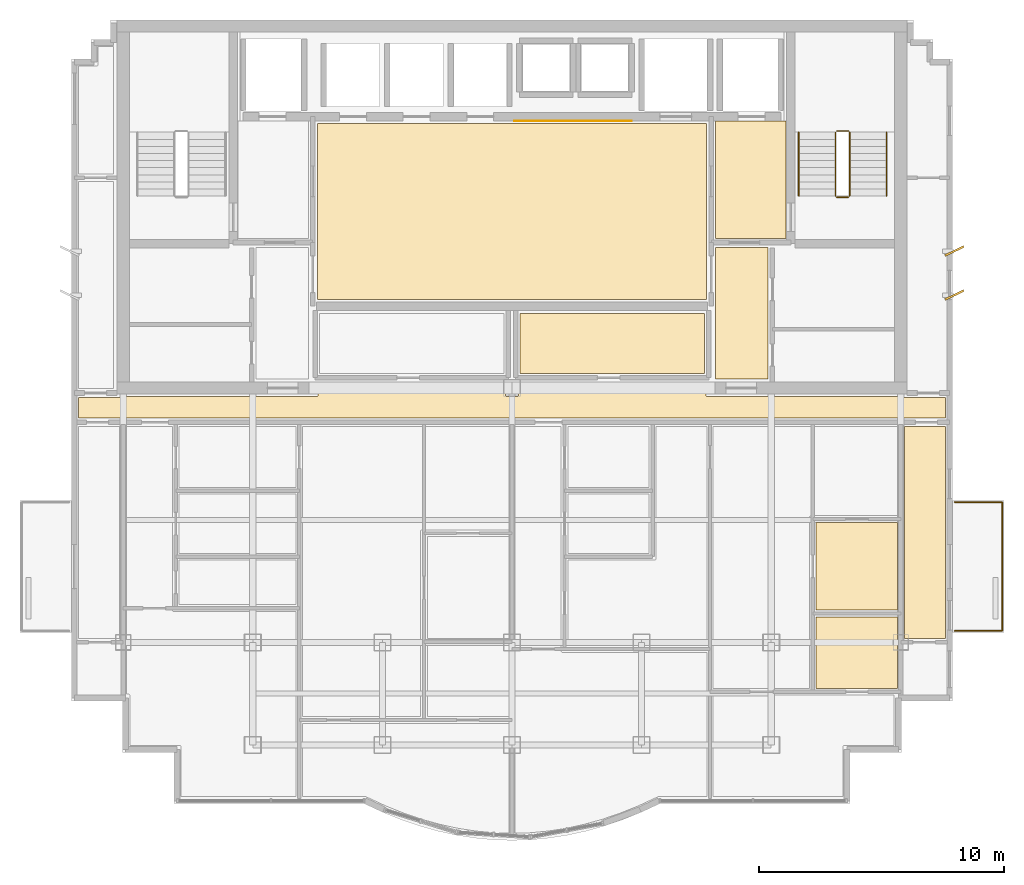
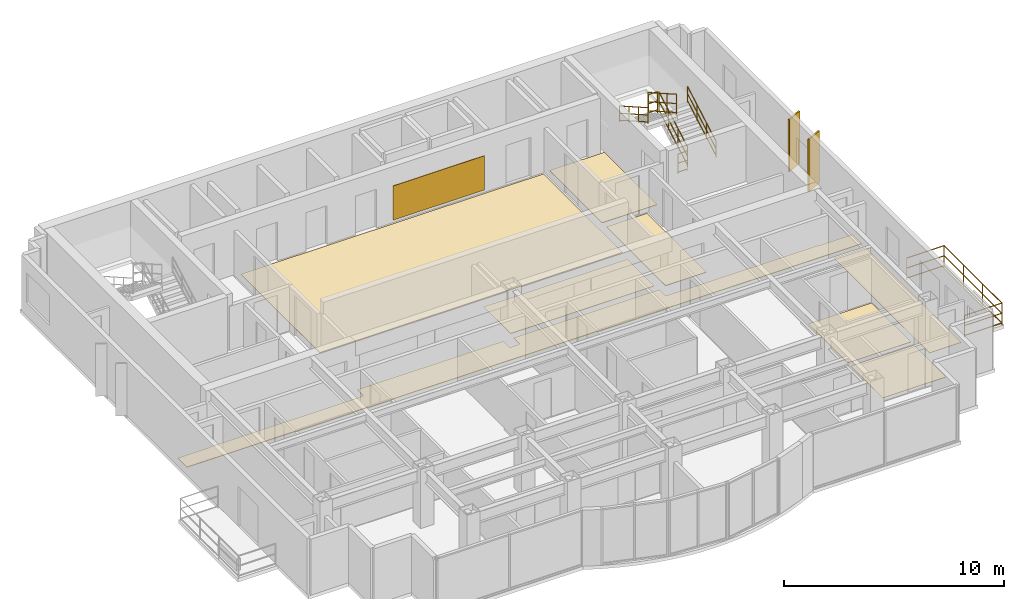
# One storey, part 9 of 9: 9 coverings, 7 railings, 2 shading devices.
"""IFC4 building model written with IfcOpenShell, lengths in metres."""

from ifc_helpers import new_model, si_unit, direction, frame, origin, origin_2d, place, context, subcontext, project, spatial, polyline, rectangle, circle, outline, extrude, source, transform, mapped, material, layer, layer_set, type_object, element, save


model = new_model("IFC4")

# Units and contexts
model_context = context("Model", 3, precision=1e-05, world=origin(), true_north=direction((0.0, 1.0)))
body_context = subcontext(model_context, "Body", "Model", "MODEL_VIEW")
ifc_project = project(units=[si_unit("LENGTHUNIT", "METRE"), si_unit("AREAUNIT", "SQUARE_METRE"), si_unit("VOLUMEUNIT", "CUBIC_METRE"), si_unit("PLANEANGLEUNIT", "RADIAN"), si_unit("MASSUNIT", "GRAM", prefix="KILO")], contexts=[model_context])

# Site, building, storey
site_placement = place(None, origin())
site = spatial("IfcSite", under=ifc_project, at=site_placement, CompositionType="ELEMENT")
building_placement = place(site_placement, origin())
building = spatial("IfcBuilding", under=site, at=building_placement, Name="Qianlan Lanfeng Residences", CompositionType="ELEMENT")
storey_placement = place(building_placement, frame((0.0, 0.0, 252.800048828125)))
storey = spatial("IfcBuildingStorey", under=building, at=storey_placement, Name="L70", CompositionType="ELEMENT", Elevation=252.800048828125)

# Coverings
ifc_material_1 = material(Name="Anodised Bronze Feature Wall Cladding")
ifc_layer_1 = layer(ifc_material_1, 0.02490234375)
ifc_layer_set_1 = layer_set([ifc_layer_1], Name="Anodised Bronze Feature Wall Cladding")
covering_type_1 = type_object("IfcCoveringType", Name="CLD-BRZ-25", PredefinedType="CLADDING", material=ifc_layer_set_1)
covering_1_placement = place(storey_placement, frame((0.0, 0.0, 0.14990234375)))
element("IfcCovering", 1, at=covering_1_placement, inside=storey, type_object=covering_type_1, Name="L70 Lift Lobby Bronze Feature Cladding", PredefinedType="CLADDING", context=body_context, shape_type="SweptSolid", body=[
    extrude(outline(polyline([(26.60009765625, 36.10009765625), (31.39990234375, 36.10009765625), (31.39990234375, 36.125), (26.60009765625, 36.125), (26.60009765625, 36.10009765625)])), origin(), (0.0, 0.0, 1.0), 1.900146484375),
])
ifc_material_2 = material(Name="Honed Taitung Granite Stone Flooring", Category="masonry")
ifc_layer_2 = layer(ifc_material_2, 0.030029296875)
ifc_layer_set_2 = layer_set([ifc_layer_2], Name="Honed Taitung Granite Stone Flooring")
covering_type_2 = type_object("IfcCoveringType", Name="FLR-STN-30", PredefinedType="FLOORING", material=ifc_layer_set_2)
covering_2_placement = place(storey_placement, origin())
element("IfcCovering", 2, at=covering_2_placement, inside=storey, type_object=covering_type_2, Name="L70 Firefighting Lift Lobby Floor Finish", PredefinedType="FLOORING", context=body_context, shape_type="SweptSolid", body=[
    extrude(outline(polyline([(34.820068359375, 31.320068359375), (37.7099609375, 31.320068359375), (37.7099609375, 36.110107421875), (34.820068359375, 36.110107421875), (34.820068359375, 31.320068359375)])), origin(), (0.0, 0.0, 1.0), 0.030029296875),
])
covering_3_placement = place(storey_placement, origin())
element("IfcCovering", 3, at=covering_3_placement, inside=storey, type_object=covering_type_2, Name="L70 Lift Lobby Floor Finish", PredefinedType="FLOORING", context=body_context, shape_type="SweptSolid", body=[
    extrude(outline(polyline([(18.550048828125, 28.820068359375), (34.449951171875, 28.820068359375), (34.449951171875, 36.010009765625), (18.550048828125, 36.010009765625), (18.550048828125, 28.820068359375)])), origin(), (0.0, 0.0, 1.0), 0.030029296875),
])
covering_4_placement = place(storey_placement, origin())
element("IfcCovering", 4, at=covering_4_placement, inside=storey, type_object=covering_type_2, Name="L70 Residential Corridor Floor Finish", PredefinedType="FLOORING", context=body_context, shape_type="SweptSolid", body=[
    extrude(outline(polyline([(8.77001953125, 23.97998046875), (44.22998046875, 23.97998046875), (44.22998046875, 24.820068359375), (42.5400390625, 24.820068359375), (42.532958984375, 24.820068359375), (42.52587890625, 24.821044921875), (42.52001953125, 24.822998046875), (42.512939453125, 24.824951171875), (42.507080078125, 24.827880859375), (42.5009765625, 24.83203125), (42.49609375, 24.8359375), (42.490966796875, 24.841064453125), (42.486083984375, 24.845947265625), (42.48291015625, 24.85009765625), (34.5, 24.85009765625), (34.492919921875, 24.85009765625), (34.486083984375, 24.85107421875), (34.47998046875, 24.85302734375), (34.472900390625, 24.85498046875), (34.467041015625, 24.85791015625), (34.4609375, 24.862060546875), (34.4560546875, 24.865966796875), (34.450927734375, 24.87109375), (34.446044921875, 24.8759765625), (34.44189453125, 24.881103515625), (34.43798828125, 24.886962890625), (34.43505859375, 24.89306640625), (34.43310546875, 24.89990234375), (34.430908203125, 24.906005859375), (34.429931640625, 24.9130859375), (34.429931640625, 24.919921875), (34.429931640625, 25.429931640625), (26.77001953125, 25.429931640625), (26.77001953125, 24.919921875), (26.77001953125, 24.9130859375), (26.76904296875, 24.906005859375), (26.76708984375, 24.89990234375), (26.764892578125, 24.89306640625), (26.761962890625, 24.886962890625), (26.758056640625, 24.881103515625), (26.75390625, 24.8759765625), (26.7490234375, 24.87109375), (26.743896484375, 24.865966796875), (26.739013671875, 24.862060546875), (26.73291015625, 24.85791015625), (26.72705078125, 24.85498046875), (26.719970703125, 24.85302734375), (26.714111328125, 24.85107421875), (26.70703125, 24.85009765625), (26.699951171875, 24.85009765625), (26.300048828125, 24.85009765625), (26.29296875, 24.85009765625), (26.285888671875, 24.85107421875), (26.280029296875, 24.85302734375), (26.27294921875, 24.85498046875), (26.26708984375, 24.85791015625), (26.260986328125, 24.862060546875), (26.256103515625, 24.865966796875), (26.2509765625, 24.87109375), (26.24609375, 24.8759765625), (26.241943359375, 24.881103515625), (26.238037109375, 24.886962890625), (26.235107421875, 24.89306640625), (26.23291015625, 24.89990234375), (26.23095703125, 24.906005859375), (26.22998046875, 24.9130859375), (26.22998046875, 24.919921875), (26.22998046875, 25.429931640625), (18.570068359375, 25.429931640625), (18.570068359375, 24.919921875), (18.570068359375, 24.9130859375), (18.569091796875, 24.906005859375), (18.56689453125, 24.89990234375), (18.56494140625, 24.89306640625), (18.56201171875, 24.886962890625), (18.55810546875, 24.881103515625), (18.553955078125, 24.8759765625), (18.549072265625, 24.87109375), (18.5439453125, 24.865966796875), (18.5390625, 24.862060546875), (18.532958984375, 24.85791015625), (18.527099609375, 24.85498046875), (18.52001953125, 24.85302734375), (18.513916015625, 24.85107421875), (18.507080078125, 24.85009765625), (18.5, 24.85009765625), (10.51708984375, 24.85009765625), (10.513916015625, 24.845947265625), (10.509033203125, 24.841064453125), (10.50390625, 24.8359375), (10.4990234375, 24.83203125), (10.492919921875, 24.827880859375), (10.487060546875, 24.824951171875), (10.47998046875, 24.822998046875), (10.47412109375, 24.821044921875), (10.467041015625, 24.820068359375), (10.4599609375, 24.820068359375), (8.77001953125, 24.820068359375), (8.77001953125, 23.97998046875)])), origin(), (0.0, 0.0, 1.0), 0.030029296875),
])
covering_5_placement = place(storey_placement, origin())
element("IfcCovering", 5, at=covering_5_placement, inside=storey, type_object=covering_type_2, Name="L70 Lift Lobby Floor Finish", PredefinedType="FLOORING", context=body_context, shape_type="SweptSolid", body=[
    extrude(outline(polyline([(34.830078125, 25.56005859375), (36.969970703125, 25.56005859375), (36.969970703125, 30.949951171875), (34.830078125, 30.949951171875), (34.830078125, 25.56005859375)])), origin(), (0.0, 0.0, 1.0), 0.030029296875),
])
ifc_material_3 = material(Name="Slip-Resistant Porcelain Tile Flooring")
ifc_layer_3 = layer(ifc_material_3, 0.02001953125)
ifc_layer_set_3 = layer_set([ifc_layer_3], Name="Slip-Resistant Porcelain Tile Flooring")
covering_type_3 = type_object("IfcCoveringType", Name="FLR-TIL-20", PredefinedType="FLOORING", material=ifc_layer_set_3)
covering_6_placement = place(storey_placement, origin())
element("IfcCovering", 6, at=covering_6_placement, inside=storey, type_object=covering_type_3, Name="L70 En-Suite Bathroom Floor Finish", PredefinedType="FLOORING", context=body_context, shape_type="SweptSolid", body=[
    extrude(outline(polyline([(38.93994140625, 12.9189453125), (42.27001953125, 12.9189453125), (42.27001953125, 15.839111328125), (38.93994140625, 15.839111328125), (38.93994140625, 12.9189453125)])), origin(), (0.0, 0.0, 1.0), 0.02001953125),
])
ifc_material_4 = material(Name="Engineered Smoked Oak Timber Flooring", Category="wood")
ifc_layer_4 = layer(ifc_material_4, 0.02197265625)
ifc_layer_set_4 = layer_set([ifc_layer_4], Name="Engineered Smoked Oak Timber Flooring")
covering_type_4 = type_object("IfcCoveringType", Name="FLR-TIM-22", PredefinedType="FLOORING", material=ifc_layer_set_4)
covering_7_placement = place(storey_placement, origin())
element("IfcCovering", 7, at=covering_7_placement, inside=storey, type_object=covering_type_4, Name="L70 Harbour Viewing Lounge Floor Finish", PredefinedType="FLOORING", context=body_context, shape_type="SweptSolid", body=[
    extrude(outline(polyline([(26.830078125, 25.800048828125), (34.3701171875, 25.800048828125), (34.3701171875, 28.2548828125), (26.830078125, 28.2548828125), (26.830078125, 25.800048828125)])), origin(), (0.0, 0.0, 1.0), 0.02197265625),
])
covering_8_placement = place(storey_placement, origin())
element("IfcCovering", 8, at=covering_8_placement, inside=storey, type_object=covering_type_4, Name="L70 Private Study Floor Finish", PredefinedType="FLOORING", context=body_context, shape_type="SweptSolid", body=[
    extrude(outline(polyline([(38.93994140625, 16.118896484375), (42.27001953125, 16.118896484375), (42.27001953125, 19.699951171875), (38.93994140625, 19.699951171875), (38.93994140625, 16.118896484375)])), origin(), (0.0, 0.0, 1.0), 0.02197265625),
])
covering_9_placement = place(storey_placement, origin())
element("IfcCovering", 9, at=covering_9_placement, inside=storey, type_object=covering_type_4, Name="L70 Private Study Floor Finish", PredefinedType="FLOORING", context=body_context, shape_type="SweptSolid", body=[
    extrude(outline(polyline([(44.22998046875, 23.6298828125), (42.56005859375, 23.6298828125), (42.56005859375, 14.949951171875), (44.22998046875, 14.949951171875), (44.22998046875, 23.6298828125)])), origin(), (0.0, 0.0, 1.0), 0.02197265625),
])

# Railings
ifc_material_5 = material(Name="Anodised Bronze Aluminium and Laminated Glass Guard Balustrade", Category="aluminium")
railing_type_1 = type_object("IfcRailingType", Name="GR-EXT-1220", PredefinedType="BALUSTRADE", material=ifc_material_5)
railing_1_placement = place(storey_placement, frame((44.590087890625, 20.530029296875, 0.0)))
element("IfcRailing", 10, at=railing_1_placement, inside=storey, type_object=railing_type_1, Name="L70 Terrace Safety Guard GR-L70-EB-N", PredefinedType="BALUSTRADE", context=body_context, shape_type="SweptSolid", body=[
    extrude(circle(Radius=0.02490234375, at=origin_2d()), frame((0.0, 0.0, 0.0849609375), z_axis=(1.0, 0.0, 0.0), x_axis=(0.0, 1.0, 0.0)), (0.0, 0.0, 1.0), 1.9599609375),
    extrude(circle(Radius=0.02490234375, at=origin_2d()), frame((0.0, 0.0, 0.63427734375), z_axis=(1.0, 0.0, 0.0), x_axis=(0.0, 1.0, 0.0)), (0.0, 0.0, 1.0), 1.9599609375),
    extrude(circle(Radius=0.02490234375, at=origin_2d()), frame((0.0, 0.0, 1.19482421875), z_axis=(1.0, 0.0, 0.0), x_axis=(0.0, 1.0, 0.0)), (0.0, 0.0, 1.0), 1.9599609375),
    extrude(circle(Radius=0.02490234375, at=origin_2d()), frame((1.9599609375, 0.0, 0.0849609375), z_axis=(0.0, -1.0, 0.0), x_axis=(1.0, 0.0, 0.0)), (0.0, 0.0, 1.0), 5.260009765625),
    extrude(circle(Radius=0.02490234375, at=origin_2d()), frame((1.9599609375, 0.0, 0.63427734375), z_axis=(0.0, -1.0, 0.0), x_axis=(1.0, 0.0, 0.0)), (0.0, 0.0, 1.0), 5.260009765625),
    extrude(circle(Radius=0.02490234375, at=origin_2d()), frame((1.9599609375, 0.0, 1.19482421875), z_axis=(0.0, -1.0, 0.0), x_axis=(1.0, 0.0, 0.0)), (0.0, 0.0, 1.0), 5.260009765625),
    extrude(circle(Radius=0.02490234375, at=origin_2d()), frame((1.9599609375, -5.260009765625, 0.0849609375), z_axis=(-1.0, 0.0, 0.0), x_axis=(0.0, -1.0, 0.0)), (0.0, 0.0, 1.0), 1.9599609375),
    extrude(circle(Radius=0.02490234375, at=origin_2d()), frame((1.9599609375, -5.260009765625, 0.63427734375), z_axis=(-1.0, 0.0, 0.0), x_axis=(0.0, -1.0, 0.0)), (0.0, 0.0, 1.0), 1.9599609375),
    extrude(circle(Radius=0.02490234375, at=origin_2d()), frame((1.9599609375, -5.260009765625, 1.19482421875), z_axis=(-1.0, 0.0, 0.0), x_axis=(0.0, -1.0, 0.0)), (0.0, 0.0, 1.0), 1.9599609375),
    extrude(circle(Radius=0.02099609375, at=origin_2d()), origin(), (0.0, 0.0, 1.0), 1.169921875),
    extrude(circle(Radius=0.02099609375, at=origin_2d()), frame((1.9599609375, 0.0, 0.0)), (0.0, 0.0, 1.0), 1.169921875),
    extrude(circle(Radius=0.02099609375, at=origin_2d()), frame((1.9599609375, -1.75341796875, 0.0)), (0.0, 0.0, 1.0), 1.169921875),
    extrude(circle(Radius=0.02099609375, at=origin_2d()), frame((1.9599609375, -3.506591796875, 0.0)), (0.0, 0.0, 1.0), 1.169921875),
    extrude(circle(Radius=0.02099609375, at=origin_2d()), frame((1.9599609375, -5.260009765625, 0.0)), (0.0, 0.0, 1.0), 1.169921875),
    extrude(circle(Radius=0.02099609375, at=origin_2d()), frame((0.0, -5.260009765625, 0.0)), (0.0, 0.0, 1.0), 1.169921875),
])
ifc_material_6 = material(Name="Painted Galvanised Steel Guardrail", Category="steel")
railing_type_2 = type_object("IfcRailingType", Name="GR-ST-1120", PredefinedType="GUARDRAIL", material=ifc_material_6)
railing_2_placement = place(storey_placement, frame((40.31005859375, 33.050048828125, 0.1650390625)))
element("IfcRailing", 11, at=railing_2_placement, inside=storey, type_object=railing_type_2, Name="L70 ST-2 stair guard 1", PredefinedType="GUARDRAIL", context=body_context, shape_type="SweptSolid", body=[
    extrude(circle(Radius=0.02392578125, at=origin_2d()), frame((0.0, 0.0, 0.083984375), z_axis=(0.0, 0.869172267526, 0.494509422927), x_axis=(-1.0, 0.0, 0.0)), (0.0, 0.0, 1.0), 3.002685546875),
    extrude(circle(Radius=0.02392578125, at=origin_2d()), frame((0.0, 0.0, 0.58251953125), z_axis=(0.0, 0.869172267526, 0.494509422927), x_axis=(-1.0, 0.0, 0.0)), (0.0, 0.0, 1.0), 3.002685546875),
    extrude(circle(Radius=0.02392578125, at=origin_2d()), frame((0.0, 0.0, 1.09619140625), z_axis=(0.0, 0.869172267526, 0.494509422927), x_axis=(-1.0, 0.0, 0.0)), (0.0, 0.0, 1.0), 3.002685546875),
    extrude(circle(Radius=0.02099609375, at=origin_2d()), origin(), (0.0, 0.0, 1.0), 1.072021484375),
    extrude(circle(Radius=0.02099609375, at=origin_2d()), frame((0.0, 0.869873046875, 0.494873046875)), (0.0, 0.0, 1.0), 1.072021484375),
    extrude(circle(Radius=0.02099609375, at=origin_2d()), frame((0.0, 1.739990234375, 0.989990234375)), (0.0, 0.0, 1.0), 1.072021484375),
    extrude(circle(Radius=0.02099609375, at=origin_2d()), frame((0.0, 2.60986328125, 1.48486328125)), (0.0, 0.0, 1.0), 1.072021484375),
])
railing_3_placement = place(storey_placement, frame((40.260009765625, 35.7099609375, 1.64990234375)))
element("IfcRailing", 12, at=railing_3_placement, inside=storey, type_object=railing_type_2, Name="L70 ST-2 stair guard 2", PredefinedType="GUARDRAIL", context=body_context, shape_type="SweptSolid", body=[
    extrude(circle(Radius=0.02392578125, at=origin_2d()), frame((0.0, 0.0, 0.083984375), z_axis=(-1.0, 0.0, 0.0), x_axis=(0.0, -1.0, 0.0)), (0.0, 0.0, 1.0), 0.47998046875),
    extrude(circle(Radius=0.02392578125, at=origin_2d()), frame((0.0, 0.0, 0.58251953125), z_axis=(-1.0, 0.0, 0.0), x_axis=(0.0, -1.0, 0.0)), (0.0, 0.0, 1.0), 0.47998046875),
    extrude(circle(Radius=0.02392578125, at=origin_2d()), frame((0.0, 0.0, 1.09619140625), z_axis=(-1.0, 0.0, 0.0), x_axis=(0.0, -1.0, 0.0)), (0.0, 0.0, 1.0), 0.47998046875),
    extrude(circle(Radius=0.02099609375, at=origin_2d()), origin(), (0.0, 0.0, 1.0), 1.072021484375),
    extrude(circle(Radius=0.02099609375, at=origin_2d()), frame((-0.47998046875, 0.0, 0.0)), (0.0, 0.0, 1.0), 1.072021484375),
])
railing_4_placement = place(storey_placement, frame((39.72998046875, 35.659912109375, 1.81494140625)))
element("IfcRailing", 13, at=railing_4_placement, inside=storey, type_object=railing_type_2, Name="L70 ST-2 stair guard 3", PredefinedType="GUARDRAIL", context=body_context, shape_type="SweptSolid", body=[
    extrude(circle(Radius=0.02392578125, at=origin_2d()), frame((0.0, 0.0, 0.083984375), z_axis=(0.0, -0.869137319866, 0.494570843475), x_axis=(1.0, 0.0, 0.0)), (0.0, 0.0, 1.0), 3.0029296875),
    extrude(circle(Radius=0.02392578125, at=origin_2d()), frame((0.0, 0.0, 0.58251953125), z_axis=(0.0, -0.869137319866, 0.494570843475), x_axis=(1.0, 0.0, 0.0)), (0.0, 0.0, 1.0), 3.0029296875),
    extrude(circle(Radius=0.02392578125, at=origin_2d()), frame((0.0, 0.0, 1.09619140625), z_axis=(0.0, -0.869137319866, 0.494570843475), x_axis=(1.0, 0.0, 0.0)), (0.0, 0.0, 1.0), 3.0029296875),
    extrude(circle(Radius=0.02099609375, at=origin_2d()), origin(), (0.0, 0.0, 1.0), 1.072021484375),
    extrude(circle(Radius=0.02099609375, at=origin_2d()), frame((0.0, -0.869873046875, 0.4951171875)), (0.0, 0.0, 1.0), 1.072021484375),
    extrude(circle(Radius=0.02099609375, at=origin_2d()), frame((0.0, -1.739990234375, 0.989990234375)), (0.0, 0.0, 1.0), 1.072021484375),
    extrude(circle(Radius=0.02099609375, at=origin_2d()), frame((0.0, -2.60986328125, 1.485107421875)), (0.0, 0.0, 1.0), 1.072021484375),
])
railing_5_placement = place(storey_placement, frame((40.260009765625, 33.0, 0.0)))
element("IfcRailing", 14, at=railing_5_placement, inside=storey, type_object=railing_type_2, Name="L70 ST-2 stair guard 4", PredefinedType="GUARDRAIL", context=body_context, shape_type="SweptSolid", body=[
    extrude(circle(Radius=0.02392578125, at=origin_2d()), frame((0.0, 0.0, 0.083984375), z_axis=(-1.0, 0.0, 0.0), x_axis=(0.0, -1.0, 0.0)), (0.0, 0.0, 1.0), 0.47998046875),
    extrude(circle(Radius=0.02392578125, at=origin_2d()), frame((0.0, 0.0, 0.58251953125), z_axis=(-1.0, 0.0, 0.0), x_axis=(0.0, -1.0, 0.0)), (0.0, 0.0, 1.0), 0.47998046875),
    extrude(circle(Radius=0.02392578125, at=origin_2d()), frame((0.0, 0.0, 1.09619140625), z_axis=(-1.0, 0.0, 0.0), x_axis=(0.0, -1.0, 0.0)), (0.0, 0.0, 1.0), 0.47998046875),
    extrude(circle(Radius=0.02099609375, at=origin_2d()), origin(), (0.0, 0.0, 1.0), 1.072021484375),
    extrude(circle(Radius=0.02099609375, at=origin_2d()), frame((-0.47998046875, 0.0, 0.0)), (0.0, 0.0, 1.0), 1.072021484375),
])
ifc_material_7 = material(Name="Brushed Stainless Steel Handrail", Category="steel")
railing_type_3 = type_object("IfcRailingType", Name="HR-ST-920", PredefinedType="HANDRAIL", material=ifc_material_7)
railing_6_placement = place(storey_placement, frame((41.81005859375, 33.050048828125, 0.1650390625)))
element("IfcRailing", 15, at=railing_6_placement, inside=storey, type_object=railing_type_3, Name="L70 ST-2 stair handrail 1", PredefinedType="HANDRAIL", context=body_context, shape_type="SweptSolid", body=[
    extrude(circle(Radius=0.02392578125, at=origin_2d()), frame((0.0, 0.0, 0.083984375), z_axis=(0.0, 0.869172267526, 0.494509422927), x_axis=(-1.0, 0.0, 0.0)), (0.0, 0.0, 1.0), 3.002685546875),
    extrude(circle(Radius=0.02392578125, at=origin_2d()), frame((0.0, 0.0, 0.468017578125), z_axis=(0.0, 0.869172267526, 0.494509422927), x_axis=(-1.0, 0.0, 0.0)), (0.0, 0.0, 1.0), 3.002685546875),
    extrude(circle(Radius=0.02392578125, at=origin_2d()), frame((0.0, 0.0, 0.8759765625), z_axis=(0.0, 0.869172267526, 0.494509422927), x_axis=(-1.0, 0.0, 0.0)), (0.0, 0.0, 1.0), 3.002685546875),
    extrude(circle(Radius=0.02099609375, at=origin_2d()), origin(), (0.0, 0.0, 1.0), 0.851806640625),
    extrude(circle(Radius=0.02099609375, at=origin_2d()), frame((0.0, 0.869873046875, 0.494873046875)), (0.0, 0.0, 1.0), 0.851806640625),
    extrude(circle(Radius=0.02099609375, at=origin_2d()), frame((0.0, 1.739990234375, 0.989990234375)), (0.0, 0.0, 1.0), 0.851806640625),
    extrude(circle(Radius=0.02099609375, at=origin_2d()), frame((0.0, 2.60986328125, 1.48486328125)), (0.0, 0.0, 1.0), 0.851806640625),
])
railing_7_placement = place(storey_placement, frame((38.22998046875, 35.659912109375, 1.81494140625)))
element("IfcRailing", 16, at=railing_7_placement, inside=storey, type_object=railing_type_3, Name="L70 ST-2 stair handrail 2", PredefinedType="HANDRAIL", context=body_context, shape_type="SweptSolid", body=[
    extrude(circle(Radius=0.02392578125, at=origin_2d()), frame((0.0, 0.0, 0.083984375), z_axis=(0.0, -0.869137319866, 0.494570843475), x_axis=(1.0, 0.0, 0.0)), (0.0, 0.0, 1.0), 3.0029296875),
    extrude(circle(Radius=0.02392578125, at=origin_2d()), frame((0.0, 0.0, 0.468017578125), z_axis=(0.0, -0.869137319866, 0.494570843475), x_axis=(1.0, 0.0, 0.0)), (0.0, 0.0, 1.0), 3.0029296875),
    extrude(circle(Radius=0.02392578125, at=origin_2d()), frame((0.0, 0.0, 0.8759765625), z_axis=(0.0, -0.869137319866, 0.494570843475), x_axis=(1.0, 0.0, 0.0)), (0.0, 0.0, 1.0), 3.0029296875),
    extrude(circle(Radius=0.02099609375, at=origin_2d()), origin(), (0.0, 0.0, 1.0), 0.851806640625),
    extrude(circle(Radius=0.02099609375, at=origin_2d()), frame((0.0, -0.869873046875, 0.4951171875)), (0.0, 0.0, 1.0), 0.851806640625),
    extrude(circle(Radius=0.02099609375, at=origin_2d()), frame((0.0, -1.739990234375, 0.989990234375)), (0.0, 0.0, 1.0), 0.851806640625),
    extrude(circle(Radius=0.02099609375, at=origin_2d()), frame((0.0, -2.60986328125, 1.485107421875)), (0.0, 0.0, 1.0), 0.851806640625),
])

# Shading devices
ifc_material_8 = material(Name="Anodised Bronze Aluminium Solar Fin", Category="aluminium")
shading_device_type = type_object("IfcShadingDeviceType", Name="FIN-BRZ-850", PredefinedType="SHUTTER", material=ifc_material_8)
shared_shape = source(origin(), body_context, "Body", "SweptSolid", [
    extrude(rectangle(XDim=0.85009765625, YDim=0.080078125, at=origin_2d()), origin(), (0.0, 0.0, 1.0), 2.89990234375),
])
for number, where, z_axis, x_axis, name in (
    (17, (44.590087890625, 29.0, 0.0), (0.0, 0.0, 1.0), (0.898794046299, 0.438371146789, 0.0), "L70 Raked Bronze Solar Fin E1"),
    (18, (44.590087890625, 30.800048828125, 0.0), (0.0, 0.0, 1.0), (0.898794046299, 0.438371146789, 0.0), "L70 Raked Bronze Solar Fin E2"),
):
    element("IfcShadingDevice", number, at=place(storey_placement, frame(where, z_axis=z_axis, x_axis=x_axis)), inside=storey, type_object=shading_device_type, Name=name, PredefinedType="SHUTTER", context=body_context, shape_type="MappedRepresentation", body=[
        mapped(shared_shape, transform((0.0, 0.0, 0.0), scale=1.0)),
    ])

save(model, "model.ifc")
